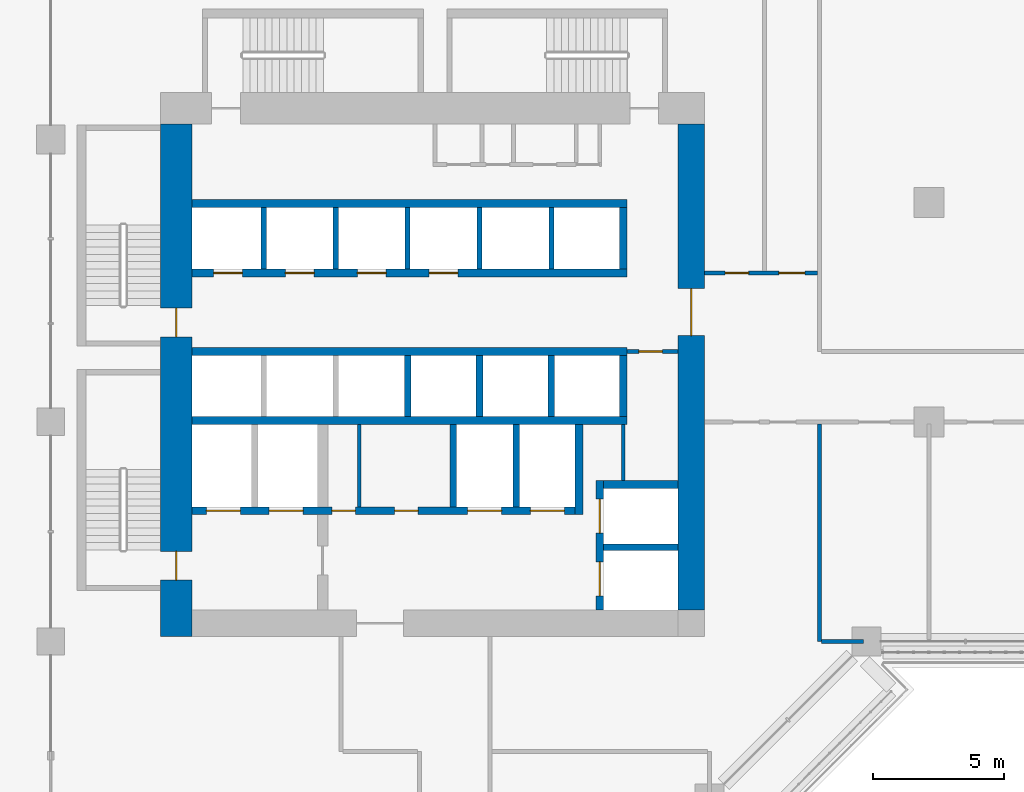
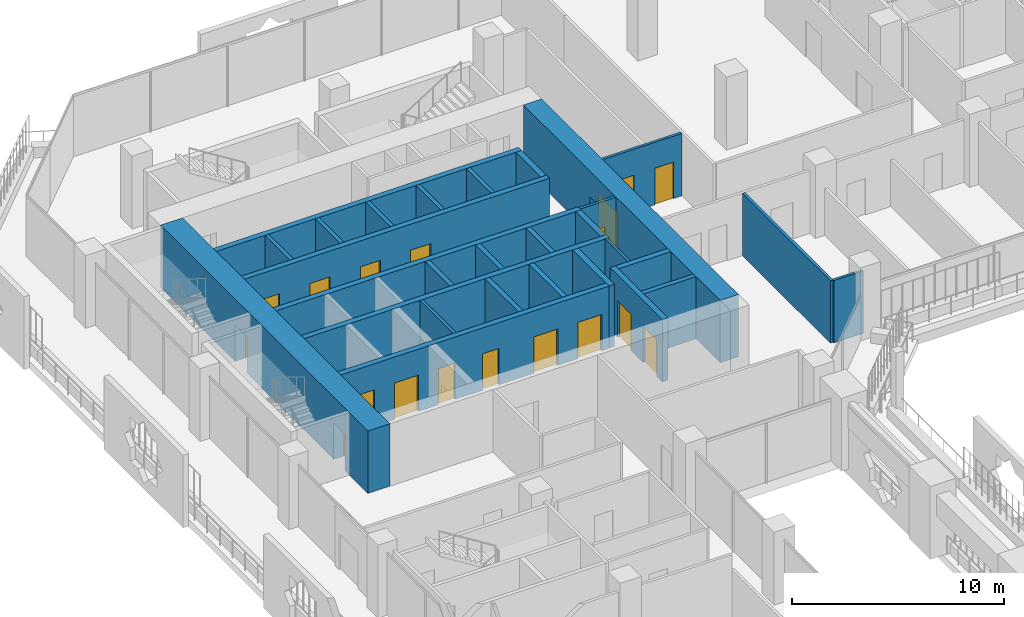
# One storey, part 16 of 29: 29 walls, 18 doors, 18 openings.
"""IFC4 building model written with IfcOpenShell, lengths in metres."""

from ifc_helpers import new_model, si_unit, direction, frame, frame_2d, origin, place, context, subcontext, project, spatial, rectangle, extrude, material, layer, layer_set, type_object, element, fill, save


model = new_model("IFC4")

# Units and contexts
model_context = context("Model", 3, precision=1e-05, world=origin(), true_north=direction((0.0, 1.0)))
body_context = subcontext(model_context, "Body", "Model", "MODEL_VIEW")
ifc_project = project(units=[si_unit("LENGTHUNIT", "METRE"), si_unit("AREAUNIT", "SQUARE_METRE"), si_unit("VOLUMEUNIT", "CUBIC_METRE"), si_unit("PLANEANGLEUNIT", "RADIAN"), si_unit("MASSUNIT", "GRAM", prefix="KILO")], contexts=[model_context])

# Site, building, storey
site_placement = place(None, origin())
site = spatial("IfcSite", under=ifc_project, at=site_placement, CompositionType="ELEMENT")
building_placement = place(site_placement, origin())
building = spatial("IfcBuilding", under=site, at=building_placement, Name="Kawkab Arch Medical Tower", CompositionType="ELEMENT")
storey_placement = place(building_placement, frame((0.0, 0.0, 107.199951171875)))
storey = spatial("IfcBuildingStorey", under=building, at=storey_placement, Name="L24", CompositionType="ELEMENT", Elevation=107.199951171875)

# Wall, opening, door
ifc_material_1 = material(Name="Concrete C60/75", Category="concrete")
ifc_layer_1 = layer(ifc_material_1, 1.0)
ifc_layer_set_1 = layer_set([ifc_layer_1], Name="Concrete C60/75")
wall_type_1 = type_object("IfcWallType", Name="Core ring wall 1000 C60/75", PredefinedType="SHEAR", material=ifc_layer_set_1)
wall_1_placement = place(storey_placement, frame((24.5, -24.0, 0.0), z_axis=(0.0, 0.0, 1.0), x_axis=(0.0, 1.0, 0.0)))
wall_1 = element("IfcWall", 1, at=wall_1_placement, inside=storey, type_object=wall_type_1, Name="L24 core wall", PredefinedType="SHEAR", context=body_context, shape_type="SweptSolid", body=[
    extrude(rectangle(XDim=18.60009765625, YDim=1.0, at=frame_2d((9.300048828125, 0.0))), origin(), (0.0, 0.0, 1.0), 3.60009765625),
])
opening_1_placement = place(wall_1_placement, frame((10.5, 0.0, 0.0)))
opening_1 = element("IfcOpeningElement", 2, at=opening_1_placement, cuts=wall_1, Name="Opening PD", PredefinedType="OPENING", context=body_context, shape_type="SweptSolid", body=[
    extrude(rectangle(XDim=1.800048828125, YDim=2.10009765625, at=frame_2d((0.89990234375, 1.050048828125))), frame((0.0, 0.510009765625, 0.0), z_axis=(0.0, -1.0, 0.0), x_axis=(1.0, 0.0, 0.0)), (0.0, 0.0, 1.0), 1.02001953125),
])
ifc_material_2 = material(Name="Hollow metal fire door leaf")
door_type_1 = type_object("IfcDoorType", Name="Core entrance doors 1800", OperationType="DOUBLE_DOOR_SINGLE_SWING", PredefinedType="DOOR", material=ifc_material_2)
door_1_placement = place(opening_1_placement, origin())
door_1 = element("IfcDoor", 3, at=door_1_placement, inside=storey, type_object=door_type_1, Name="L24 East entrance doors", OperationType="DOUBLE_DOOR_SINGLE_SWING", OverallHeight=2.10009765625, OverallWidth=1.800048828125, PredefinedType="DOOR", context=body_context, shape_type="SweptSolid", body=[
    extrude(rectangle(XDim=1.800048828125, YDim=2.10009765625, at=frame_2d((0.89990234375, 1.050048828125))), frame((0.0, 0.02490234375, 0.0), z_axis=(0.0, -1.0, 0.0), x_axis=(1.0, 0.0, 0.0)), (0.0, 0.0, 1.0), 0.050048828125),
])
fill(opening_1, door_1)

# Wall, openings, doors
ifc_material_3 = material(Name="Concrete C60/75", Category="concrete")
ifc_layer_2 = layer(ifc_material_3, 1.199951171875)
ifc_layer_set_2 = layer_set([ifc_layer_2], Name="Concrete C60/75")
wall_type_2 = type_object("IfcWallType", Name="Core ring wall 1200 C60/75", PredefinedType="SHEAR", material=ifc_layer_set_2)
wall_2_placement = place(storey_placement, frame((4.800048828125, -25.0, 0.0), z_axis=(0.0, 0.0, 1.0), x_axis=(0.0, 1.0, 0.0)))
wall_2 = element("IfcWall", 4, at=wall_2_placement, inside=storey, type_object=wall_type_2, Name="L24 core wall", PredefinedType="SHEAR", context=body_context, shape_type="SweptSolid", body=[
    extrude(rectangle(XDim=19.60009765625, YDim=1.199951171875, at=frame_2d((9.800048828125, 0.0))), origin(), (0.0, 0.0, 1.0), 3.60009765625),
])
opening_2_placement = place(wall_2_placement, frame((11.449951171875, 0.0, 0.0)))
opening_2 = element("IfcOpeningElement", 5, at=opening_2_placement, cuts=wall_2, Name="Opening SD", PredefinedType="OPENING", context=body_context, shape_type="SweptSolid", body=[
    extrude(rectangle(XDim=1.10009765625, YDim=2.10009765625, at=frame_2d((0.550048828125, 1.050048828125))), frame((0.0, 0.60986328125, 0.0), z_axis=(0.0, -1.0, 0.0), x_axis=(1.0, 0.0, 0.0)), (0.0, 0.0, 1.0), 1.219970703125),
])
opening_3_placement = place(wall_2_placement, frame((2.14990234375, 0.0, 0.0)))
opening_3 = element("IfcOpeningElement", 6, at=opening_3_placement, cuts=wall_2, Name="Opening SD", PredefinedType="OPENING", context=body_context, shape_type="SweptSolid", body=[
    extrude(rectangle(XDim=1.10009765625, YDim=2.10009765625, at=frame_2d((0.550048828125, 1.050048828125))), frame((0.0, 0.60986328125, 0.0), z_axis=(0.0, -1.0, 0.0), x_axis=(1.0, 0.0, 0.0)), (0.0, 0.0, 1.0), 1.219970703125),
])
ifc_material_4 = material(Name="Hollow metal fire door leaf")
door_type_2 = type_object("IfcDoorType", Name="Exit stair door 1100", OperationType="SINGLE_SWING_LEFT", PredefinedType="DOOR", material=ifc_material_4)
door_2_placement = place(opening_2_placement, origin())
door_2 = element("IfcDoor", 7, at=door_2_placement, inside=storey, type_object=door_type_2, Name="L24 Exit stair ST1 door", OperationType="SINGLE_SWING_LEFT", OverallHeight=2.10009765625, OverallWidth=1.10009765625, PredefinedType="DOOR", context=body_context, shape_type="SweptSolid", body=[
    extrude(rectangle(XDim=1.10009765625, YDim=2.10009765625, at=frame_2d((0.550048828125, 1.050048828125))), frame((0.0, 0.02490234375, 0.0), z_axis=(0.0, -1.0, 0.0), x_axis=(1.0, 0.0, 0.0)), (0.0, 0.0, 1.0), 0.050048828125),
])
fill(opening_2, door_2)
door_3_placement = place(opening_3_placement, origin())
door_3 = element("IfcDoor", 8, at=door_3_placement, inside=storey, type_object=door_type_2, Name="L24 Exit stair ST2 door", OperationType="SINGLE_SWING_LEFT", OverallHeight=2.10009765625, OverallWidth=1.10009765625, PredefinedType="DOOR", context=body_context, shape_type="SweptSolid", body=[
    extrude(rectangle(XDim=1.10009765625, YDim=2.10009765625, at=frame_2d((0.550048828125, 1.050048828125))), frame((0.0, 0.02490234375, 0.0), z_axis=(0.0, -1.0, 0.0), x_axis=(1.0, 0.0, 0.0)), (0.0, 0.0, 1.0), 0.050048828125),
])
fill(opening_3, door_3)

# Wall
ifc_material_5 = material(Name="Gypsum board on steel studs", Category="steel")
ifc_layer_3 = layer(ifc_material_5, 0.14990234375)
ifc_layer_set_3 = layer_set([ifc_layer_3], Name="Gypsum board on steel studs")
wall_type_3 = type_object("IfcWallType", Name="Core room partition 150", PredefinedType="PARTITIONING", material=ifc_layer_set_3)
wall_3_placement = place(storey_placement, frame((21.89990234375, -19.050048828125, 0.0), z_axis=(0.0, 0.0, 1.0), x_axis=(0.0, 1.0, 0.0)))
element("IfcWall", 9, at=wall_3_placement, inside=storey, type_object=wall_type_3, Name="L24 core room partition", PredefinedType="PARTITIONING", context=body_context, shape_type="SweptSolid", body=[
    extrude(rectangle(XDim=2.150146484375, YDim=0.14990234375, at=frame_2d((1.0751953125, 0.0))), origin(), (0.0, 0.0, 1.0), 3.60009765625),
])

# Wall, opening, door
wall_4_placement = place(storey_placement, frame((22.050048828125, -14.10009765625, 0.0), z_axis=(0.0, 0.0, 1.0), x_axis=(1.0, 0.0, 0.0)))
wall_4 = element("IfcWall", 10, at=wall_4_placement, inside=storey, type_object=wall_type_3, Name="L24 core room partition", PredefinedType="PARTITIONING", context=body_context, shape_type="SweptSolid", body=[
    extrude(rectangle(XDim=1.949951171875, YDim=0.14990234375, at=frame_2d((0.97509765625, 0.0))), origin(), (0.0, 0.0, 1.0), 3.60009765625),
])
opening_4_placement = place(wall_4_placement, frame((0.449951171875, 0.0, 0.0)))
opening_4 = element("IfcOpeningElement", 11, at=opening_4_placement, cuts=wall_4, Name="Opening RD", PredefinedType="OPENING", context=body_context, shape_type="SweptSolid", body=[
    extrude(rectangle(XDim=0.89990234375, YDim=2.10009765625, at=frame_2d((0.449951171875, 1.050048828125))), frame((0.0, 0.0849609375, 0.0), z_axis=(0.0, -1.0, 0.0), x_axis=(1.0, 0.0, 0.0)), (0.0, 0.0, 1.0), 0.169921875),
])
ifc_material_6 = material(Name="Hollow metal fire door leaf")
door_type_3 = type_object("IfcDoorType", Name="Core room door 900", OperationType="SINGLE_SWING_LEFT", PredefinedType="DOOR", material=ifc_material_6)
door_4_placement = place(opening_4_placement, origin())
door_4 = element("IfcDoor", 12, at=door_4_placement, inside=storey, type_object=door_type_3, Name="L24 Data room door", OperationType="SINGLE_SWING_LEFT", OverallHeight=2.10009765625, OverallWidth=0.89990234375, PredefinedType="DOOR", context=body_context, shape_type="SweptSolid", body=[
    extrude(rectangle(XDim=0.89990234375, YDim=2.10009765625, at=frame_2d((0.449951171875, 1.050048828125))), frame((0.0, 0.02490234375, 0.0), z_axis=(0.0, -1.0, 0.0), x_axis=(1.0, 0.0, 0.0)), (0.0, 0.0, 1.0), 0.050048828125),
])
fill(opening_4, door_4)

# Walls
wall_5_placement = place(storey_placement, frame((11.800048828125, -20.050048828125, 0.0), z_axis=(0.0, 0.0, 1.0), x_axis=(0.0, 1.0, 0.0)))
element("IfcWall", 13, at=wall_5_placement, inside=storey, type_object=wall_type_3, Name="L24 core room partition", PredefinedType="PARTITIONING", context=body_context, shape_type="SweptSolid", body=[
    extrude(rectangle(XDim=3.150146484375, YDim=0.14990234375, at=frame_2d((1.5751953125, 0.0))), origin(), (0.0, 0.0, 1.0), 3.60009765625),
])
ifc_material_7 = material(Name="Concrete C60/75", Category="concrete")
ifc_layer_4 = layer(ifc_material_7, 0.25)
ifc_layer_set_4 = layer_set([ifc_layer_4], Name="Concrete C60/75")
wall_type_4 = type_object("IfcWallType", Name="Core shear wall 250 C60/75", PredefinedType="SHEAR", material=ifc_layer_set_4)
wall_6_placement = place(storey_placement, frame((21.14990234375, -21.60009765625, 0.0), z_axis=(0.0, 0.0, 1.0), x_axis=(1.0, 0.0, 0.0)))
element("IfcWall", 14, at=wall_6_placement, inside=storey, type_object=wall_type_4, Name="L24 core shear wall", PredefinedType="SHEAR", context=body_context, shape_type="SweptSolid", body=[
    extrude(rectangle(XDim=2.85009765625, YDim=0.25, at=frame_2d((1.425048828125, 0.0))), origin(), (0.0, 0.0, 1.0), 3.60009765625),
])
for number, where, z_axis, x_axis, name in (
    (15, (15.39990234375, -20.050048828125, 0.0), (0.0, 0.0, 1.0), (0.0, 1.0, 0.0), "L24 core shear wall"),
    (16, (17.800048828125, -20.050048828125, 0.0), (0.0, 0.0, 1.0), (0.0, 1.0, 0.0), "L24 core shear wall"),
):
    element("IfcWall", number, at=place(storey_placement, frame(where, z_axis=z_axis, x_axis=x_axis)), inside=storey, type_object=wall_type_4, Name=name, PredefinedType="SHEAR", context=body_context, shape_type="SweptSolid", body=[
        extrude(rectangle(XDim=3.150146484375, YDim=0.25, at=frame_2d((1.5751953125, 0.0))), origin(), (0.0, 0.0, 1.0), 3.60009765625),
    ])
for number, where, z_axis, x_axis, name in (
    (17, (13.64990234375, -16.60009765625, 0.0), (0.0, 0.0, 1.0), (0.0, 1.0, 0.0), "L24 core shear wall"),
    (18, (16.39990234375, -16.60009765625, 0.0), (0.0, 0.0, 1.0), (0.0, 1.0, 0.0), "L24 core shear wall"),
    (19, (19.14990234375, -16.60009765625, 0.0), (0.0, 0.0, 1.0), (0.0, 1.0, 0.0), "L24 core shear wall"),
):
    element("IfcWall", number, at=place(storey_placement, frame(where, z_axis=z_axis, x_axis=x_axis)), inside=storey, type_object=wall_type_4, Name=name, PredefinedType="SHEAR", context=body_context, shape_type="SweptSolid", body=[
        extrude(rectangle(XDim=2.35009765625, YDim=0.25, at=frame_2d((1.175048828125, 0.0))), origin(), (0.0, 0.0, 1.0), 3.60009765625),
    ])
ifc_material_8 = material(Name="Concrete C60/75", Category="concrete")
ifc_layer_5 = layer(ifc_material_8, 0.300048828125)
ifc_layer_set_5 = layer_set([ifc_layer_5], Name="Concrete C60/75")
wall_type_5 = type_object("IfcWallType", Name="Core shear wall 300 C60/75", PredefinedType="SHEAR", material=ifc_layer_set_5)
wall_7_placement = place(storey_placement, frame((5.39990234375, -8.449951171875, 0.0), z_axis=(0.0, 0.0, 1.0), x_axis=(1.0, 0.0, 0.0)))
element("IfcWall", 20, at=wall_7_placement, inside=storey, type_object=wall_type_5, Name="L24 core shear wall", PredefinedType="SHEAR", context=body_context, shape_type="SweptSolid", body=[
    extrude(rectangle(XDim=16.650146484375, YDim=0.300048828125, at=frame_2d((8.3251953125, 0.0))), origin(), (0.0, 0.0, 1.0), 3.60009765625),
])

# Wall, openings, doors
wall_8_placement = place(storey_placement, frame((5.39990234375, -11.10009765625, 0.0), z_axis=(0.0, 0.0, 1.0), x_axis=(1.0, 0.0, 0.0)))
wall_8 = element("IfcWall", 21, at=wall_8_placement, inside=storey, type_object=wall_type_5, Name="L24 core shear wall", PredefinedType="SHEAR", context=body_context, shape_type="SweptSolid", body=[
    extrude(rectangle(XDim=16.650146484375, YDim=0.300048828125, at=frame_2d((8.3251953125, 0.0))), origin(), (0.0, 0.0, 1.0), 3.60009765625),
])
opening_5_placement = place(wall_8_placement, frame((0.824951171875, 0.0, 0.0)))
opening_5 = element("IfcOpeningElement", 22, at=opening_5_placement, cuts=wall_8, Name="Opening LD1", PredefinedType="OPENING", context=body_context, shape_type="SweptSolid", body=[
    extrude(rectangle(XDim=1.10009765625, YDim=2.10009765625, at=frame_2d((0.550048828125, 1.050048828125))), frame((0.0, 0.159912109375, 0.0), z_axis=(0.0, -1.0, 0.0), x_axis=(1.0, 0.0, 0.0)), (0.0, 0.0, 1.0), 0.320068359375),
])
opening_6_placement = place(wall_8_placement, frame((3.574951171875, 0.0, 0.0)))
opening_6 = element("IfcOpeningElement", 23, at=opening_6_placement, cuts=wall_8, Name="Opening LD1", PredefinedType="OPENING", context=body_context, shape_type="SweptSolid", body=[
    extrude(rectangle(XDim=1.10009765625, YDim=2.10009765625, at=frame_2d((0.550048828125, 1.050048828125))), frame((0.0, 0.159912109375, 0.0), z_axis=(0.0, -1.0, 0.0), x_axis=(1.0, 0.0, 0.0)), (0.0, 0.0, 1.0), 0.320068359375),
])
opening_7_placement = place(wall_8_placement, frame((6.324951171875, 0.0, 0.0)))
opening_7 = element("IfcOpeningElement", 24, at=opening_7_placement, cuts=wall_8, Name="Opening LD1", PredefinedType="OPENING", context=body_context, shape_type="SweptSolid", body=[
    extrude(rectangle(XDim=1.10009765625, YDim=2.10009765625, at=frame_2d((0.550048828125, 1.050048828125))), frame((0.0, 0.159912109375, 0.0), z_axis=(0.0, -1.0, 0.0), x_axis=(1.0, 0.0, 0.0)), (0.0, 0.0, 1.0), 0.320068359375),
])
opening_8_placement = place(wall_8_placement, frame((9.074951171875, 0.0, 0.0)))
opening_8 = element("IfcOpeningElement", 25, at=opening_8_placement, cuts=wall_8, Name="Opening LD1", PredefinedType="OPENING", context=body_context, shape_type="SweptSolid", body=[
    extrude(rectangle(XDim=1.10009765625, YDim=2.10009765625, at=frame_2d((0.550048828125, 1.050048828125))), frame((0.0, 0.159912109375, 0.0), z_axis=(0.0, -1.0, 0.0), x_axis=(1.0, 0.0, 0.0)), (0.0, 0.0, 1.0), 0.320068359375),
])
ifc_material_9 = material(Name="Stainless steel lift door leaf", Category="steel")
door_type_4 = type_object("IfcDoorType", Name="Lift landing door 1100", OperationType="DOUBLE_DOOR_SLIDING", PredefinedType="DOOR", material=ifc_material_9)
door_5_placement = place(opening_5_placement, origin())
door_5 = element("IfcDoor", 26, at=door_5_placement, inside=storey, type_object=door_type_4, Name="L24 Lift landing door LP1", OperationType="DOUBLE_DOOR_SLIDING", OverallHeight=2.10009765625, OverallWidth=1.10009765625, PredefinedType="DOOR", context=body_context, shape_type="SweptSolid", body=[
    extrude(rectangle(XDim=1.10009765625, YDim=2.10009765625, at=frame_2d((0.550048828125, 1.050048828125))), frame((0.0, 0.02490234375, 0.0), z_axis=(0.0, -1.0, 0.0), x_axis=(1.0, 0.0, 0.0)), (0.0, 0.0, 1.0), 0.050048828125),
])
fill(opening_5, door_5)
door_6_placement = place(opening_6_placement, origin())
door_6 = element("IfcDoor", 27, at=door_6_placement, inside=storey, type_object=door_type_4, Name="L24 Lift landing door LP2", OperationType="DOUBLE_DOOR_SLIDING", OverallHeight=2.10009765625, OverallWidth=1.10009765625, PredefinedType="DOOR", context=body_context, shape_type="SweptSolid", body=[
    extrude(rectangle(XDim=1.10009765625, YDim=2.10009765625, at=frame_2d((0.550048828125, 1.050048828125))), frame((0.0, 0.02490234375, 0.0), z_axis=(0.0, -1.0, 0.0), x_axis=(1.0, 0.0, 0.0)), (0.0, 0.0, 1.0), 0.050048828125),
])
fill(opening_6, door_6)
door_7_placement = place(opening_7_placement, origin())
door_7 = element("IfcDoor", 28, at=door_7_placement, inside=storey, type_object=door_type_4, Name="L24 Lift landing door LP3", OperationType="DOUBLE_DOOR_SLIDING", OverallHeight=2.10009765625, OverallWidth=1.10009765625, PredefinedType="DOOR", context=body_context, shape_type="SweptSolid", body=[
    extrude(rectangle(XDim=1.10009765625, YDim=2.10009765625, at=frame_2d((0.550048828125, 1.050048828125))), frame((0.0, 0.02490234375, 0.0), z_axis=(0.0, -1.0, 0.0), x_axis=(1.0, 0.0, 0.0)), (0.0, 0.0, 1.0), 0.050048828125),
])
fill(opening_7, door_7)
door_8_placement = place(opening_8_placement, origin())
door_8 = element("IfcDoor", 29, at=door_8_placement, inside=storey, type_object=door_type_4, Name="L24 Lift landing door LP4", OperationType="DOUBLE_DOOR_SLIDING", OverallHeight=2.10009765625, OverallWidth=1.10009765625, PredefinedType="DOOR", context=body_context, shape_type="SweptSolid", body=[
    extrude(rectangle(XDim=1.10009765625, YDim=2.10009765625, at=frame_2d((0.550048828125, 1.050048828125))), frame((0.0, 0.02490234375, 0.0), z_axis=(0.0, -1.0, 0.0), x_axis=(1.0, 0.0, 0.0)), (0.0, 0.0, 1.0), 0.050048828125),
])
fill(opening_8, door_8)

# Walls
for number, where, z_axis, x_axis, name in (
    (30, (5.39990234375, -14.10009765625, 0.0), (0.0, 0.0, 1.0), (1.0, 0.0, 0.0), "L24 core shear wall"),
    (31, (5.39990234375, -16.75, 0.0), (0.0, 0.0, 1.0), (1.0, 0.0, 0.0), "L24 core shear wall"),
):
    element("IfcWall", number, at=place(storey_placement, frame(where, z_axis=z_axis, x_axis=x_axis)), inside=storey, type_object=wall_type_5, Name=name, PredefinedType="SHEAR", context=body_context, shape_type="SweptSolid", body=[
        extrude(rectangle(XDim=16.650146484375, YDim=0.300048828125, at=frame_2d((8.3251953125, 0.0))), origin(), (0.0, 0.0, 1.0), 3.60009765625),
    ])

# Wall, openings, doors
wall_9_placement = place(storey_placement, frame((5.39990234375, -20.199951171875, 0.0), z_axis=(0.0, 0.0, 1.0), x_axis=(1.0, 0.0, 0.0)))
wall_9 = element("IfcWall", 32, at=wall_9_placement, inside=storey, type_object=wall_type_5, Name="L24 core shear wall", PredefinedType="SHEAR", context=body_context, shape_type="SweptSolid", body=[
    extrude(rectangle(XDim=14.650146484375, YDim=0.300048828125, at=frame_2d((7.3251953125, 0.0))), origin(), (0.0, 0.0, 1.0), 3.60009765625),
])
opening_9_placement = place(wall_9_placement, frame((10.550048828125, 0.0, 0.0)))
opening_9 = element("IfcOpeningElement", 33, at=opening_9_placement, cuts=wall_9, Name="Opening LD2", PredefinedType="OPENING", context=body_context, shape_type="SweptSolid", body=[
    extrude(rectangle(XDim=1.300048828125, YDim=2.10009765625, at=frame_2d((0.64990234375, 1.050048828125))), frame((0.0, 0.159912109375, 0.0), z_axis=(0.0, -1.0, 0.0), x_axis=(1.0, 0.0, 0.0)), (0.0, 0.0, 1.0), 0.320068359375),
])
opening_10_placement = place(wall_9_placement, frame((12.949951171875, 0.0, 0.0)))
opening_10 = element("IfcOpeningElement", 34, at=opening_10_placement, cuts=wall_9, Name="Opening LD2", PredefinedType="OPENING", context=body_context, shape_type="SweptSolid", body=[
    extrude(rectangle(XDim=1.300048828125, YDim=2.10009765625, at=frame_2d((0.64990234375, 1.050048828125))), frame((0.0, 0.159912109375, 0.0), z_axis=(0.0, -1.0, 0.0), x_axis=(1.0, 0.0, 0.0)), (0.0, 0.0, 1.0), 0.320068359375),
])
opening_11_placement = place(wall_9_placement, frame((0.550048828125, 0.0, 0.0)))
opening_11 = element("IfcOpeningElement", 35, at=opening_11_placement, cuts=wall_9, Name="Opening LD2", PredefinedType="OPENING", context=body_context, shape_type="SweptSolid", body=[
    extrude(rectangle(XDim=1.300048828125, YDim=2.10009765625, at=frame_2d((0.64990234375, 1.050048828125))), frame((0.0, 0.159912109375, 0.0), z_axis=(0.0, -1.0, 0.0), x_axis=(1.0, 0.0, 0.0)), (0.0, 0.0, 1.0), 0.320068359375),
])
opening_12_placement = place(wall_9_placement, frame((2.949951171875, 0.0, 0.0)))
opening_12 = element("IfcOpeningElement", 36, at=opening_12_placement, cuts=wall_9, Name="Opening LD2", PredefinedType="OPENING", context=body_context, shape_type="SweptSolid", body=[
    extrude(rectangle(XDim=1.300048828125, YDim=2.10009765625, at=frame_2d((0.64990234375, 1.050048828125))), frame((0.0, 0.159912109375, 0.0), z_axis=(0.0, -1.0, 0.0), x_axis=(1.0, 0.0, 0.0)), (0.0, 0.0, 1.0), 0.320068359375),
])
opening_13_placement = place(wall_9_placement, frame((5.35009765625, 0.0, 0.0)))
opening_13 = element("IfcOpeningElement", 37, at=opening_13_placement, cuts=wall_9, Name="Opening RD", PredefinedType="OPENING", context=body_context, shape_type="SweptSolid", body=[
    extrude(rectangle(XDim=0.89990234375, YDim=2.10009765625, at=frame_2d((0.449951171875, 1.050048828125))), frame((0.0, 0.159912109375, 0.0), z_axis=(0.0, -1.0, 0.0), x_axis=(1.0, 0.0, 0.0)), (0.0, 0.0, 1.0), 0.320068359375),
])
opening_14_placement = place(wall_9_placement, frame((7.75, 0.0, 0.0)))
opening_14 = element("IfcOpeningElement", 38, at=opening_14_placement, cuts=wall_9, Name="Opening RD", PredefinedType="OPENING", context=body_context, shape_type="SweptSolid", body=[
    extrude(rectangle(XDim=0.89990234375, YDim=2.10009765625, at=frame_2d((0.449951171875, 1.050048828125))), frame((0.0, 0.159912109375, 0.0), z_axis=(0.0, -1.0, 0.0), x_axis=(1.0, 0.0, 0.0)), (0.0, 0.0, 1.0), 0.320068359375),
])
door_9_placement = place(opening_13_placement, origin())
door_9 = element("IfcDoor", 39, at=door_9_placement, inside=storey, type_object=door_type_3, Name="L24 Equipment store door", OperationType="SINGLE_SWING_LEFT", OverallHeight=2.10009765625, OverallWidth=0.89990234375, PredefinedType="DOOR", context=body_context, shape_type="SweptSolid", body=[
    extrude(rectangle(XDim=0.89990234375, YDim=2.10009765625, at=frame_2d((0.449951171875, 1.050048828125))), frame((0.0, 0.02490234375, 0.0), z_axis=(0.0, -1.0, 0.0), x_axis=(1.0, 0.0, 0.0)), (0.0, 0.0, 1.0), 0.050048828125),
])
fill(opening_13, door_9)
door_10_placement = place(opening_14_placement, origin())
door_10 = element("IfcDoor", 40, at=door_10_placement, inside=storey, type_object=door_type_3, Name="L24 Medication store door", OperationType="SINGLE_SWING_LEFT", OverallHeight=2.10009765625, OverallWidth=0.89990234375, PredefinedType="DOOR", context=body_context, shape_type="SweptSolid", body=[
    extrude(rectangle(XDim=0.89990234375, YDim=2.10009765625, at=frame_2d((0.449951171875, 1.050048828125))), frame((0.0, 0.02490234375, 0.0), z_axis=(0.0, -1.0, 0.0), x_axis=(1.0, 0.0, 0.0)), (0.0, 0.0, 1.0), 0.050048828125),
])
fill(opening_14, door_10)
ifc_material_10 = material(Name="Stainless steel lift door leaf", Category="steel")
door_type_5 = type_object("IfcDoorType", Name="Lift landing door 1300", OperationType="DOUBLE_DOOR_SLIDING", PredefinedType="DOOR", material=ifc_material_10)
door_11_placement = place(opening_9_placement, origin())
door_11 = element("IfcDoor", 41, at=door_11_placement, inside=storey, type_object=door_type_5, Name="L24 Lift landing door BD3", OperationType="DOUBLE_DOOR_SLIDING", OverallHeight=2.10009765625, OverallWidth=1.300048828125, PredefinedType="DOOR", context=body_context, shape_type="SweptSolid", body=[
    extrude(rectangle(XDim=1.300048828125, YDim=2.10009765625, at=frame_2d((0.64990234375, 1.050048828125))), frame((0.0, 0.02490234375, 0.0), z_axis=(0.0, -1.0, 0.0), x_axis=(1.0, 0.0, 0.0)), (0.0, 0.0, 1.0), 0.050048828125),
])
fill(opening_9, door_11)
door_12_placement = place(opening_10_placement, origin())
door_12 = element("IfcDoor", 42, at=door_12_placement, inside=storey, type_object=door_type_5, Name="L24 Lift landing door BD4", OperationType="DOUBLE_DOOR_SLIDING", OverallHeight=2.10009765625, OverallWidth=1.300048828125, PredefinedType="DOOR", context=body_context, shape_type="SweptSolid", body=[
    extrude(rectangle(XDim=1.300048828125, YDim=2.10009765625, at=frame_2d((0.64990234375, 1.050048828125))), frame((0.0, 0.02490234375, 0.0), z_axis=(0.0, -1.0, 0.0), x_axis=(1.0, 0.0, 0.0)), (0.0, 0.0, 1.0), 0.050048828125),
])
fill(opening_10, door_12)
door_13_placement = place(opening_11_placement, origin())
door_13 = element("IfcDoor", 43, at=door_13_placement, inside=storey, type_object=door_type_5, Name="L24 Lift landing door FL1", OperationType="DOUBLE_DOOR_SLIDING", OverallHeight=2.10009765625, OverallWidth=1.300048828125, PredefinedType="DOOR", context=body_context, shape_type="SweptSolid", body=[
    extrude(rectangle(XDim=1.300048828125, YDim=2.10009765625, at=frame_2d((0.64990234375, 1.050048828125))), frame((0.0, 0.02490234375, 0.0), z_axis=(0.0, -1.0, 0.0), x_axis=(1.0, 0.0, 0.0)), (0.0, 0.0, 1.0), 0.050048828125),
])
fill(opening_11, door_13)
door_14_placement = place(opening_12_placement, origin())
door_14 = element("IfcDoor", 44, at=door_14_placement, inside=storey, type_object=door_type_5, Name="L24 Lift landing door FL2", OperationType="DOUBLE_DOOR_SLIDING", OverallHeight=2.10009765625, OverallWidth=1.300048828125, PredefinedType="DOOR", context=body_context, shape_type="SweptSolid", body=[
    extrude(rectangle(XDim=1.300048828125, YDim=2.10009765625, at=frame_2d((0.64990234375, 1.050048828125))), frame((0.0, 0.02490234375, 0.0), z_axis=(0.0, -1.0, 0.0), x_axis=(1.0, 0.0, 0.0)), (0.0, 0.0, 1.0), 0.050048828125),
])
fill(opening_12, door_14)

# Walls
wall_10_placement = place(storey_placement, frame((20.199951171875, -20.35009765625, 0.0), z_axis=(0.0, 0.0, 1.0), x_axis=(0.0, 1.0, 0.0)))
element("IfcWall", 45, at=wall_10_placement, inside=storey, type_object=wall_type_5, Name="L24 core shear wall", PredefinedType="SHEAR", context=body_context, shape_type="SweptSolid", body=[
    extrude(rectangle(XDim=3.4501953125, YDim=0.300048828125, at=frame_2d((1.72509765625, 0.0))), origin(), (0.0, 0.0, 1.0), 3.60009765625),
])
wall_11_placement = place(storey_placement, frame((21.89990234375, -10.949951171875, 0.0), z_axis=(0.0, 0.0, 1.0), x_axis=(0.0, 1.0, 0.0)))
element("IfcWall", 46, at=wall_11_placement, inside=storey, type_object=wall_type_5, Name="L24 core shear wall", PredefinedType="SHEAR", context=body_context, shape_type="SweptSolid", body=[
    extrude(rectangle(XDim=2.349853515625, YDim=0.300048828125, at=frame_2d((1.1748046875, 0.0))), origin(), (0.0, 0.0, 1.0), 3.60009765625),
])
wall_12_placement = place(storey_placement, frame((21.89990234375, -16.60009765625, 0.0), z_axis=(0.0, 0.0, 1.0), x_axis=(0.0, 1.0, 0.0)))
element("IfcWall", 47, at=wall_12_placement, inside=storey, type_object=wall_type_5, Name="L24 core shear wall", PredefinedType="SHEAR", context=body_context, shape_type="SweptSolid", body=[
    extrude(rectangle(XDim=2.35009765625, YDim=0.300048828125, at=frame_2d((1.175048828125, 0.0))), origin(), (0.0, 0.0, 1.0), 3.60009765625),
])
wall_13_placement = place(storey_placement, frame((21.14990234375, -19.199951171875, 0.0), z_axis=(0.0, 0.0, 1.0), x_axis=(1.0, 0.0, 0.0)))
element("IfcWall", 48, at=wall_13_placement, inside=storey, type_object=wall_type_5, Name="L24 core shear wall", PredefinedType="SHEAR", context=body_context, shape_type="SweptSolid", body=[
    extrude(rectangle(XDim=2.85009765625, YDim=0.300048828125, at=frame_2d((1.425048828125, 0.0))), origin(), (0.0, 0.0, 1.0), 3.60009765625),
])

# Wall, openings, doors
wall_14_placement = place(storey_placement, frame((21.0, -24.0, 0.0), z_axis=(0.0, 0.0, 1.0), x_axis=(0.0, 1.0, 0.0)))
wall_14 = element("IfcWall", 49, at=wall_14_placement, inside=storey, type_object=wall_type_5, Name="L24 core shear wall", PredefinedType="SHEAR", context=body_context, shape_type="SweptSolid", body=[
    extrude(rectangle(XDim=4.949951171875, YDim=0.300048828125, at=frame_2d((2.47509765625, 0.0))), origin(), (0.0, 0.0, 1.0), 3.60009765625),
])
opening_15_placement = place(wall_14_placement, frame((2.949951171875, 0.0, 0.0)))
opening_15 = element("IfcOpeningElement", 50, at=opening_15_placement, cuts=wall_14, Name="Opening LD2", PredefinedType="OPENING", context=body_context, shape_type="SweptSolid", body=[
    extrude(rectangle(XDim=1.300048828125, YDim=2.10009765625, at=frame_2d((0.64990234375, 1.050048828125))), frame((0.0, 0.159912109375, 0.0), z_axis=(0.0, -1.0, 0.0), x_axis=(1.0, 0.0, 0.0)), (0.0, 0.0, 1.0), 0.320068359375),
])
opening_16_placement = place(wall_14_placement, frame((0.550048828125, 0.0, 0.0)))
opening_16 = element("IfcOpeningElement", 51, at=opening_16_placement, cuts=wall_14, Name="Opening LD2", PredefinedType="OPENING", context=body_context, shape_type="SweptSolid", body=[
    extrude(rectangle(XDim=1.300048828125, YDim=2.10009765625, at=frame_2d((0.64990234375, 1.050048828125))), frame((0.0, 0.159912109375, 0.0), z_axis=(0.0, -1.0, 0.0), x_axis=(1.0, 0.0, 0.0)), (0.0, 0.0, 1.0), 0.320068359375),
])
door_15_placement = place(opening_15_placement, origin())
door_15 = element("IfcDoor", 52, at=door_15_placement, inside=storey, type_object=door_type_5, Name="L24 Lift landing door BD1", OperationType="DOUBLE_DOOR_SLIDING", OverallHeight=2.10009765625, OverallWidth=1.300048828125, PredefinedType="DOOR", context=body_context, shape_type="SweptSolid", body=[
    extrude(rectangle(XDim=1.300048828125, YDim=2.10009765625, at=frame_2d((0.64990234375, 1.050048828125))), frame((0.0, 0.02490234375, 0.0), z_axis=(0.0, -1.0, 0.0), x_axis=(1.0, 0.0, 0.0)), (0.0, 0.0, 1.0), 0.050048828125),
])
fill(opening_15, door_15)
door_16_placement = place(opening_16_placement, origin())
door_16 = element("IfcDoor", 53, at=door_16_placement, inside=storey, type_object=door_type_5, Name="L24 Lift landing door BD2", OperationType="DOUBLE_DOOR_SLIDING", OverallHeight=2.10009765625, OverallWidth=1.300048828125, PredefinedType="DOOR", context=body_context, shape_type="SweptSolid", body=[
    extrude(rectangle(XDim=1.300048828125, YDim=2.10009765625, at=frame_2d((0.64990234375, 1.050048828125))), frame((0.0, 0.02490234375, 0.0), z_axis=(0.0, -1.0, 0.0), x_axis=(1.0, 0.0, 0.0)), (0.0, 0.0, 1.0), 0.050048828125),
])
fill(opening_16, door_16)

# Walls
ifc_material_11 = material(Name="Dense concrete blockwork", Category="masonry")
ifc_layer_6 = layer(ifc_material_11, 0.199951171875)
ifc_layer_set_6 = layer_set([ifc_layer_6], Name="Dense concrete blockwork")
wall_type_6 = type_object("IfcWallType", Name="Lift shaft partition 200", PredefinedType="PARTITIONING", material=ifc_layer_set_6)
for number, where, z_axis, x_axis, name in (
    (54, (8.14990234375, -10.949951171875, 0.0), (0.0, 0.0, 1.0), (0.0, 1.0, 0.0), "L24 lift shaft partition"),
    (55, (10.89990234375, -10.949951171875, 0.0), (0.0, 0.0, 1.0), (0.0, 1.0, 0.0), "L24 lift shaft partition"),
    (56, (13.64990234375, -10.949951171875, 0.0), (0.0, 0.0, 1.0), (0.0, 1.0, 0.0), "L24 lift shaft partition"),
    (57, (16.39990234375, -10.949951171875, 0.0), (0.0, 0.0, 1.0), (0.0, 1.0, 0.0), "L24 lift shaft partition"),
    (58, (19.14990234375, -10.949951171875, 0.0), (0.0, 0.0, 1.0), (0.0, 1.0, 0.0), "L24 lift shaft partition"),
):
    element("IfcWall", number, at=place(storey_placement, frame(where, z_axis=z_axis, x_axis=x_axis)), inside=storey, type_object=wall_type_6, Name=name, PredefinedType="PARTITIONING", context=body_context, shape_type="SweptSolid", body=[
        extrude(rectangle(XDim=2.349853515625, YDim=0.199951171875, at=frame_2d((1.1748046875, 0.0))), origin(), (0.0, 0.0, 1.0), 3.60009765625),
    ])
ifc_material_12 = material(Name="Gypsum board partition on steel studs, mineral wool", Category="steel")
ifc_layer_7 = layer(ifc_material_12, 0.14990234375)
ifc_layer_set_7 = layer_set([ifc_layer_7], Name="Gypsum board partition on steel studs, mineral wool")
wall_type_7 = type_object("IfcWallType", Name="Partition 150", PredefinedType="PARTITIONING", material=ifc_layer_set_7)
wall_15_placement = place(storey_placement, frame((29.47509765625, -25.199951171875, 0.0), z_axis=(0.0, 0.0, 1.0), x_axis=(1.0, 0.0, 0.0)))
element("IfcWall", 59, at=wall_15_placement, inside=storey, type_object=wall_type_7, Name="Partition 150 w009", PredefinedType="PARTITIONING", context=body_context, shape_type="SweptSolid", body=[
    extrude(rectangle(XDim=1.61181640625, YDim=0.14990234375, at=frame_2d((0.805908203125, 0.0))), origin(), (0.0, 0.0, 1.0), 3.60009765625),
])

# Wall, openings, doors
wall_16_placement = place(storey_placement, frame((25.0, -11.10009765625, 0.0), z_axis=(0.0, 0.0, 1.0), x_axis=(1.0, 0.0, 0.0)))
wall_16 = element("IfcWall", 60, at=wall_16_placement, inside=storey, type_object=wall_type_7, Name="Partition 150 w014", PredefinedType="PARTITIONING", context=body_context, shape_type="SweptSolid", body=[
    extrude(rectangle(XDim=4.324951171875, YDim=0.14990234375, at=frame_2d((2.16259765625, 0.0))), origin(), (0.0, 0.0, 1.0), 3.60009765625),
])
opening_17_placement = place(wall_16_placement, frame((0.800048828125, 0.0, 0.0)))
opening_17 = element("IfcOpeningElement", 61, at=opening_17_placement, cuts=wall_16, Name="Opening B24-005", PredefinedType="OPENING", context=body_context, shape_type="SweptSolid", body=[
    extrude(rectangle(XDim=0.89990234375, YDim=2.10009765625, at=frame_2d((0.449951171875, 1.050048828125))), frame((0.0, 0.0849609375, 0.0), z_axis=(0.0, -1.0, 0.0), x_axis=(1.0, 0.0, 0.0)), (0.0, 0.0, 1.0), 0.169921875),
])
opening_18_placement = place(wall_16_placement, frame((2.85009765625, 0.0, 0.0)))
opening_18 = element("IfcOpeningElement", 62, at=opening_18_placement, cuts=wall_16, Name="Opening B24-006", PredefinedType="OPENING", context=body_context, shape_type="SweptSolid", body=[
    extrude(rectangle(XDim=1.0, YDim=2.10009765625, at=frame_2d((0.5, 1.050048828125))), frame((0.0, 0.0849609375, 0.0), z_axis=(0.0, -1.0, 0.0), x_axis=(1.0, 0.0, 0.0)), (0.0, 0.0, 1.0), 0.169921875),
])
ifc_material_13 = material(Name="Timber door leaf", Category="wood")
door_type_6 = type_object("IfcDoorType", Name="Single door 1000x2100", OperationType="NOTDEFINED", PredefinedType="DOOR", material=ifc_material_13)
door_17_placement = place(opening_18_placement, origin())
door_17 = element("IfcDoor", 63, at=door_17_placement, inside=storey, type_object=door_type_6, Name="Door B24-006", OperationType="SINGLE_SWING_RIGHT", OverallHeight=2.10009765625, OverallWidth=1.0, PredefinedType="DOOR", context=body_context, shape_type="SweptSolid", body=[
    extrude(rectangle(XDim=1.0, YDim=2.10009765625, at=frame_2d((0.5, 1.050048828125))), frame((0.0, 0.02490234375, 0.0), z_axis=(0.0, -1.0, 0.0), x_axis=(1.0, 0.0, 0.0)), (0.0, 0.0, 1.0), 0.050048828125),
])
fill(opening_18, door_17)
ifc_material_14 = material(Name="Timber door leaf", Category="wood")
door_type_7 = type_object("IfcDoorType", Name="Single door 900x2100", OperationType="NOTDEFINED", PredefinedType="DOOR", material=ifc_material_14)
door_18_placement = place(opening_17_placement, origin())
door_18 = element("IfcDoor", 64, at=door_18_placement, inside=storey, type_object=door_type_7, Name="Door B24-005", OperationType="SINGLE_SWING_LEFT", OverallHeight=2.10009765625, OverallWidth=0.89990234375, PredefinedType="DOOR", context=body_context, shape_type="SweptSolid", body=[
    extrude(rectangle(XDim=0.89990234375, YDim=2.10009765625, at=frame_2d((0.449951171875, 1.050048828125))), frame((0.0, 0.02490234375, 0.0), z_axis=(0.0, -1.0, 0.0), x_axis=(1.0, 0.0, 0.0)), (0.0, 0.0, 1.0), 0.050048828125),
])
fill(opening_17, door_18)

# Wall
wall_17_placement = place(storey_placement, frame((29.39990234375, -25.199951171875, 0.0), z_axis=(0.0, 0.0, 1.0), x_axis=(0.0, 1.0, 0.0)))
element("IfcWall", 65, at=wall_17_placement, inside=storey, type_object=wall_type_7, Name="Partition 150 w033", PredefinedType="PARTITIONING", context=body_context, shape_type="SweptSolid", body=[
    extrude(rectangle(XDim=8.324951171875, YDim=0.14990234375, at=frame_2d((4.16259765625, 0.0))), origin(), (0.0, 0.0, 1.0), 3.60009765625),
])

save(model, "model.ifc")
